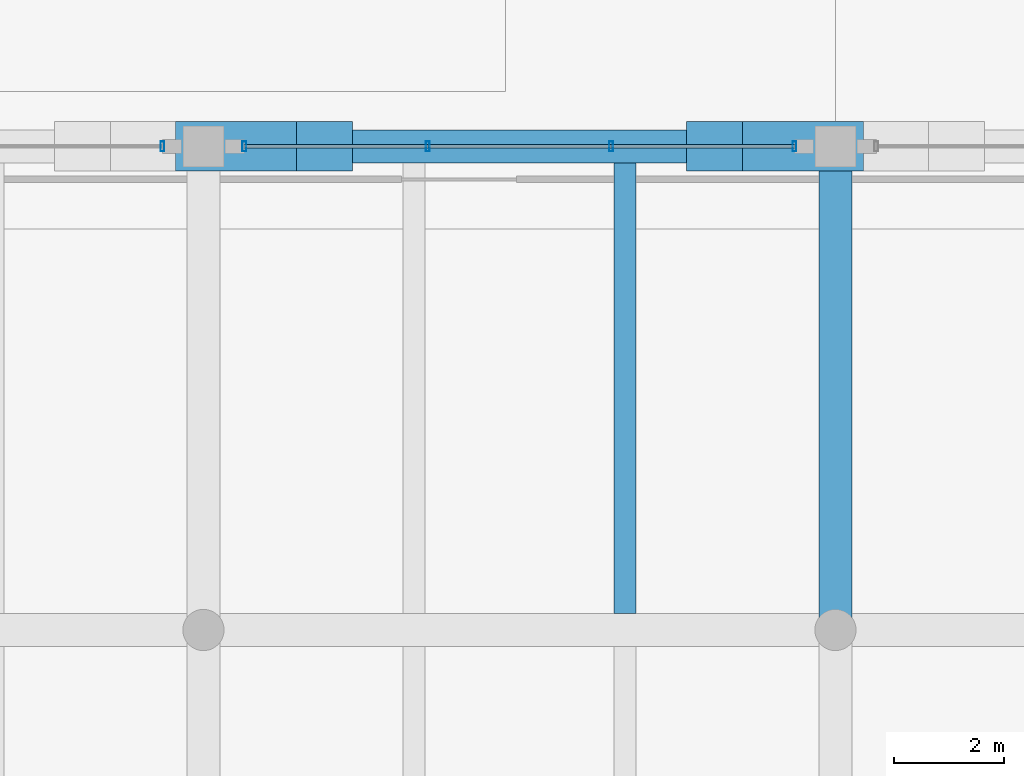
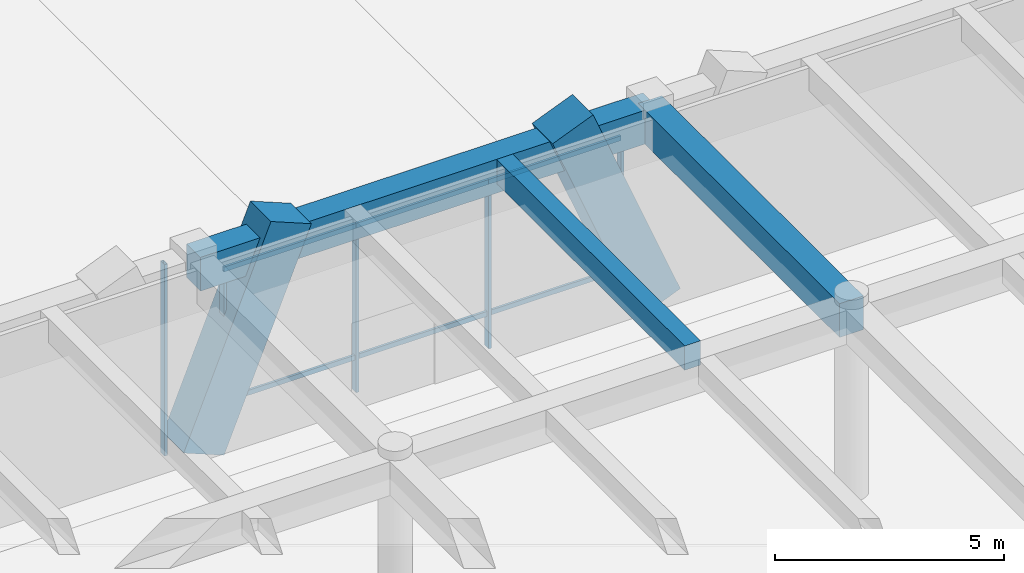
# One storey, part 34 of 148: 13 members, 3 beams, 2 elements without a shape of their own.
"""IFC4 building model written with IfcOpenShell, lengths in metres."""

from ifc_helpers import new_model, si_unit, direction, frame, origin, origin_2d, place, context, subcontext, project, spatial, rectangle, hollow_rectangle, extrude, material, material_profile, profile_set, type_object, element, aggregate, save


model = new_model("IFC4")

# Units and contexts
model_context = context("Model", 3, precision=1e-05, world=origin(), true_north=direction((0.0, 1.0)))
body_context = subcontext(model_context, "Body", "Model", "MODEL_VIEW")
ifc_project = project(units=[si_unit("LENGTHUNIT", "METRE"), si_unit("AREAUNIT", "SQUARE_METRE"), si_unit("VOLUMEUNIT", "CUBIC_METRE"), si_unit("PLANEANGLEUNIT", "RADIAN"), si_unit("MASSUNIT", "GRAM", prefix="KILO")], contexts=[model_context])

# Site, building, storey
site_placement = place(None, origin())
site = spatial("IfcSite", under=ifc_project, at=site_placement, CompositionType="ELEMENT")
building_placement = place(site_placement, origin())
building = spatial("IfcBuilding", under=site, at=building_placement, Name="Ologun Quay Terminus", CompositionType="ELEMENT")
storey_placement = place(building_placement, frame((0.0, 0.0, 8.39990234375)))
storey = spatial("IfcBuildingStorey", under=building, at=storey_placement, Name="L02", CompositionType="ELEMENT", Elevation=8.39990234375)

# Curtain wall, member
ifc_material_1 = material(Name="Aluminium 6063-T6", Category="aluminium")
curtain_wall_type = type_object("IfcCurtainWallType", Name="Train Shed South Clerestory Curtain Wall 10700x5050", PredefinedType="USERDEFINED", material=ifc_material_1)
curtain_wall_1_placement = place(storey_placement, origin())
curtain_wall_1 = element("IfcCurtainWall", 1, at=curtain_wall_1_placement, inside=storey, type_object=curtain_wall_type, Name="CW-08 Curtain Wall CW-L02-056", ObjectType="UNITISED CURTAIN WALL", PredefinedType="USERDEFINED")
ifc_material_2 = material(Name="Aluminium 6063-T6", Category="aluminium")
ifc_material_profile_1 = material_profile(ifc_material_2, hollow_rectangle(XDim=0.070068359375, YDim=0.179931640625, WallThickness=0.0048828125, at=origin_2d()), Name="ALU 180x70x5")
ifc_profile_set_1 = profile_set([ifc_material_profile_1], Name="Aluminium 6063-T6")
member_type_1 = type_object("IfcMemberType", Name="Concourse Clerestory Mullion 180x70", PredefinedType="MULLION", material=ifc_profile_set_1)
member_1_placement = place(storey_placement, frame((79.7548828125, 36.0, 0.0), z_axis=(0.0, 0.0, 1.0), x_axis=(1.0, 0.0, 0.0)))
member_1 = element("IfcMember", 2, at=member_1_placement, type_object=member_type_1, Name="CW-L02-056 Mullion 4", PredefinedType="MULLION", context=body_context, shape_type="SweptSolid", body=[
    extrude(hollow_rectangle(XDim=0.070068359375, YDim=0.179931640625, WallThickness=0.0048828125, at=origin_2d()), origin(), (0.0, 0.0, 1.0), 5.10009765625),
])
aggregate(curtain_wall_1, [member_1])

# Curtain wall, members
curtain_wall_2_placement = place(storey_placement, origin())
curtain_wall_2 = element("IfcCurtainWall", 3, at=curtain_wall_2_placement, inside=storey, type_object=curtain_wall_type, Name="CW-08 Curtain Wall CW-L02-058", ObjectType="UNITISED CURTAIN WALL", PredefinedType="USERDEFINED")
member_2_placement = place(storey_placement, frame((81.2451171875, 36.0, 0.0), z_axis=(0.0, 0.0, 1.0), x_axis=(1.0, 0.0, 0.0)))
member_2 = element("IfcMember", 4, at=member_2_placement, type_object=member_type_1, Name="CW-L02-058 Mullion 1", PredefinedType="MULLION", context=body_context, shape_type="SweptSolid", body=[
    extrude(hollow_rectangle(XDim=0.070068359375, YDim=0.179931640625, WallThickness=0.0048828125, at=origin_2d()), origin(), (0.0, 0.0, 1.0), 5.10009765625),
])
member_3_placement = place(storey_placement, frame((84.581787109375, 36.0, 0.0), z_axis=(0.0, 0.0, 1.0), x_axis=(1.0, 0.0, 0.0)))
member_3 = element("IfcMember", 5, at=member_3_placement, type_object=member_type_1, Name="CW-L02-058 Mullion 2", PredefinedType="MULLION", context=body_context, shape_type="SweptSolid", body=[
    extrude(hollow_rectangle(XDim=0.070068359375, YDim=0.179931640625, WallThickness=0.0048828125, at=origin_2d()), origin(), (0.0, 0.0, 1.0), 5.10009765625),
])
member_4_placement = place(storey_placement, frame((87.918212890625, 36.0, 0.0), z_axis=(0.0, 0.0, 1.0), x_axis=(1.0, 0.0, 0.0)))
member_4 = element("IfcMember", 6, at=member_4_placement, type_object=member_type_1, Name="CW-L02-058 Mullion 3", PredefinedType="MULLION", context=body_context, shape_type="SweptSolid", body=[
    extrude(hollow_rectangle(XDim=0.070068359375, YDim=0.179931640625, WallThickness=0.0048828125, at=origin_2d()), origin(), (0.0, 0.0, 1.0), 5.10009765625),
])
member_5_placement = place(storey_placement, frame((91.2548828125, 36.0, 0.0), z_axis=(0.0, 0.0, 1.0), x_axis=(1.0, 0.0, 0.0)))
member_5 = element("IfcMember", 7, at=member_5_placement, type_object=member_type_1, Name="CW-L02-058 Mullion 4", PredefinedType="MULLION", context=body_context, shape_type="SweptSolid", body=[
    extrude(hollow_rectangle(XDim=0.070068359375, YDim=0.179931640625, WallThickness=0.0048828125, at=origin_2d()), origin(), (0.0, 0.0, 1.0), 5.10009765625),
])
ifc_material_3 = material(Name="Aluminium 6063-T6", Category="aluminium")
ifc_material_profile_2 = material_profile(ifc_material_3, hollow_rectangle(XDim=0.06005859375, YDim=0.1298828125, WallThickness=0.00390625, at=origin_2d()), Name="ALU 130x60x4")
ifc_profile_set_2 = profile_set([ifc_material_profile_2], Name="Aluminium 6063-T6")
member_type_2 = type_object("IfcMemberType", Name="Concourse Clerestory Transom 130x60", PredefinedType="USERDEFINED", material=ifc_profile_set_2)
member_6_placement = place(storey_placement, frame((81.2451171875, 36.0, 0.900146484375), z_axis=(1.0, 0.0, 0.0), x_axis=(0.0, 1.0, 0.0)))
member_6 = element("IfcMember", 8, at=member_6_placement, type_object=member_type_2, Name="CW-L02-058 Transom B1-1", ObjectType="TRANSOM", PredefinedType="USERDEFINED", context=body_context, shape_type="SweptSolid", body=[
    extrude(hollow_rectangle(XDim=0.06005859375, YDim=0.1298828125, WallThickness=0.00390625, at=origin_2d()), origin(), (0.0, 0.0, 1.0), 3.336669921875),
])
member_7_placement = place(storey_placement, frame((81.2451171875, 36.0, 4.400146484375), z_axis=(1.0, 0.0, 0.0), x_axis=(0.0, 1.0, 0.0)))
member_7 = element("IfcMember", 9, at=member_7_placement, type_object=member_type_2, Name="CW-L02-058 Transom B1-2", ObjectType="TRANSOM", PredefinedType="USERDEFINED", context=body_context, shape_type="SweptSolid", body=[
    extrude(hollow_rectangle(XDim=0.06005859375, YDim=0.1298828125, WallThickness=0.00390625, at=origin_2d()), origin(), (0.0, 0.0, 1.0), 3.336669921875),
])
member_8_placement = place(storey_placement, frame((84.581787109375, 36.0, 0.900146484375), z_axis=(1.0, 0.0, 0.0), x_axis=(0.0, 1.0, 0.0)))
member_8 = element("IfcMember", 10, at=member_8_placement, type_object=member_type_2, Name="CW-L02-058 Transom B2-1", ObjectType="TRANSOM", PredefinedType="USERDEFINED", context=body_context, shape_type="SweptSolid", body=[
    extrude(hollow_rectangle(XDim=0.06005859375, YDim=0.1298828125, WallThickness=0.00390625, at=origin_2d()), origin(), (0.0, 0.0, 1.0), 3.33642578125),
])
member_9_placement = place(storey_placement, frame((84.581787109375, 36.0, 4.400146484375), z_axis=(1.0, 0.0, 0.0), x_axis=(0.0, 1.0, 0.0)))
member_9 = element("IfcMember", 11, at=member_9_placement, type_object=member_type_2, Name="CW-L02-058 Transom B2-2", ObjectType="TRANSOM", PredefinedType="USERDEFINED", context=body_context, shape_type="SweptSolid", body=[
    extrude(hollow_rectangle(XDim=0.06005859375, YDim=0.1298828125, WallThickness=0.00390625, at=origin_2d()), origin(), (0.0, 0.0, 1.0), 3.33642578125),
])
member_10_placement = place(storey_placement, frame((87.918212890625, 36.0, 0.900146484375), z_axis=(1.0, 0.0, 0.0), x_axis=(0.0, 1.0, 0.0)))
member_10 = element("IfcMember", 12, at=member_10_placement, type_object=member_type_2, Name="CW-L02-058 Transom B3-1", ObjectType="TRANSOM", PredefinedType="USERDEFINED", context=body_context, shape_type="SweptSolid", body=[
    extrude(hollow_rectangle(XDim=0.06005859375, YDim=0.1298828125, WallThickness=0.00390625, at=origin_2d()), origin(), (0.0, 0.0, 1.0), 3.336669921875),
])
member_11_placement = place(storey_placement, frame((87.918212890625, 36.0, 4.400146484375), z_axis=(1.0, 0.0, 0.0), x_axis=(0.0, 1.0, 0.0)))
member_11 = element("IfcMember", 13, at=member_11_placement, type_object=member_type_2, Name="CW-L02-058 Transom B3-2", ObjectType="TRANSOM", PredefinedType="USERDEFINED", context=body_context, shape_type="SweptSolid", body=[
    extrude(hollow_rectangle(XDim=0.06005859375, YDim=0.1298828125, WallThickness=0.00390625, at=origin_2d()), origin(), (0.0, 0.0, 1.0), 3.336669921875),
])
aggregate(curtain_wall_2, [member_2, member_3, member_4, member_5, member_6, member_7, member_8, member_9, member_10, member_11])

# Members
ifc_material_4 = material(Name="Concrete C45/55", Category="concrete")
ifc_material_profile_3 = material_profile(ifc_material_4, rectangle(XDim=0.89990234375, YDim=1.10009765625, at=origin_2d()), Name="RC 900x1100")
ifc_profile_set_3 = profile_set([ifc_material_profile_3], Name="Concrete C45/55")
member_type_3 = type_object("IfcMemberType", Name="Sculpted Concrete Arch V-Buttress Strut 900x1100", PredefinedType="STRUT", material=ifc_profile_set_3)
for number, where, z_axis, x_axis, name in (
    (14, (80.5, 36.0, 0.0), (0.377280927807, 0.0, 0.926098861631), (0.0, 1.0, 0.0), "VS1 Arch V-Buttress East Limb 8/E"),
    (15, (92.0, 36.0, 0.0), (-0.377280927807, 0.0, 0.926098861631), (0.0, -1.0, 0.0), "VS1 Arch V-Buttress West Limb 9/E"),
):
    element("IfcMember", number, at=place(storey_placement, frame(where, z_axis=z_axis, x_axis=x_axis)), inside=storey, type_object=member_type_3, Name=name, PredefinedType="STRUT", context=body_context, shape_type="SweptSolid", body=[
        extrude(rectangle(XDim=0.89990234375, YDim=1.10009765625, at=origin_2d()), origin(), (0.0, 0.0, 1.0), 5.8310546875),
    ])

# Beams
ifc_material_5 = material(Name="Concrete C40/50", Category="concrete")
ifc_material_profile_4 = material_profile(ifc_material_5, rectangle(XDim=0.60009765625, YDim=0.89990234375, at=origin_2d()), Name="RC 600x900")
ifc_profile_set_4 = profile_set([ifc_material_profile_4], Name="Concrete C40/50")
beam_type_1 = type_object("IfcBeamType", Name="Station Frame Girder 600x900", PredefinedType="BEAM", material=ifc_profile_set_4)
beam_1_placement = place(storey_placement, frame((80.5, 36.0, 4.7001953125), z_axis=(1.0, 0.0, 0.0), x_axis=(0.0, 1.0, 0.0)))
element("IfcBeam", 16, at=beam_1_placement, inside=storey, type_object=beam_type_1, Name="B3 Beam 8/E L02", PredefinedType="BEAM", context=body_context, shape_type="SweptSolid", body=[
    extrude(rectangle(XDim=0.60009765625, YDim=0.89990234375, at=origin_2d()), origin(), (0.0, 0.0, 1.0), 11.5),
])
beam_2_placement = place(storey_placement, frame((92.0, 27.199951171875, 4.7001953125), z_axis=(0.0, 1.0, 0.0), x_axis=(-1.0, 0.0, 0.0)))
element("IfcBeam", 17, at=beam_2_placement, inside=storey, type_object=beam_type_1, Name="B3 Beam 9/D L02", PredefinedType="BEAM", context=body_context, shape_type="SweptSolid", body=[
    extrude(rectangle(XDim=0.60009765625, YDim=0.89990234375, at=origin_2d()), origin(), (0.0, 0.0, 1.0), 8.800048828125),
])
ifc_material_6 = material(Name="Concrete C40/50", Category="concrete")
ifc_material_profile_5 = material_profile(ifc_material_6, rectangle(XDim=0.39990234375, YDim=0.64990234375, at=origin_2d()), Name="RC 400x650")
ifc_profile_set_5 = profile_set([ifc_material_profile_5], Name="Concrete C40/50")
beam_type_2 = type_object("IfcBeamType", Name="Station Secondary Joist 400x650", PredefinedType="JOIST", material=ifc_profile_set_5)
beam_3_placement = place(storey_placement, frame((88.166748046875, 27.5, 4.8251953125), z_axis=(0.0, 1.0, 0.0), x_axis=(-1.0, 0.0, 0.0)))
element("IfcBeam", 18, at=beam_3_placement, inside=storey, type_object=beam_type_2, Name="J1 Beam 8/D L02", PredefinedType="JOIST", context=body_context, shape_type="SweptSolid", body=[
    extrude(rectangle(XDim=0.39990234375, YDim=0.64990234375, at=origin_2d()), origin(), (0.0, 0.0, 1.0), 8.199951171875),
])

save(model, "model.ifc")
